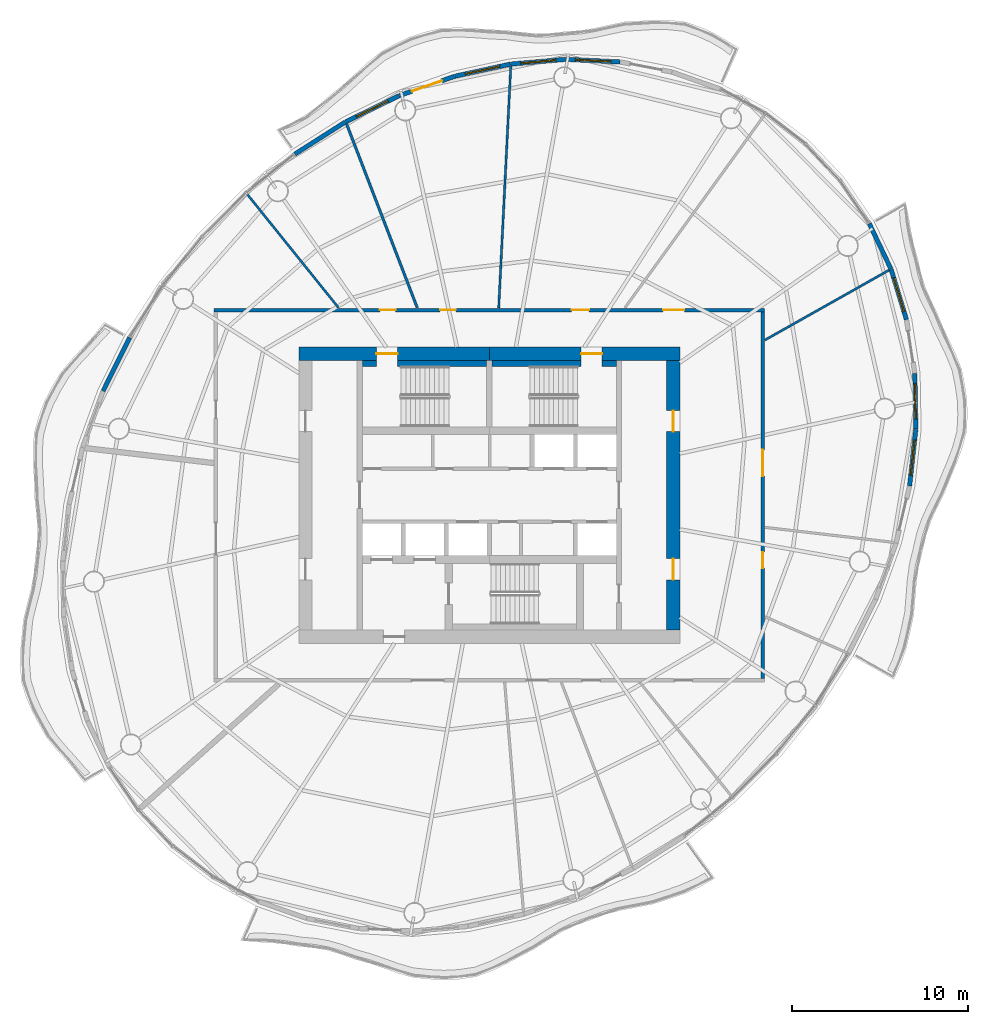
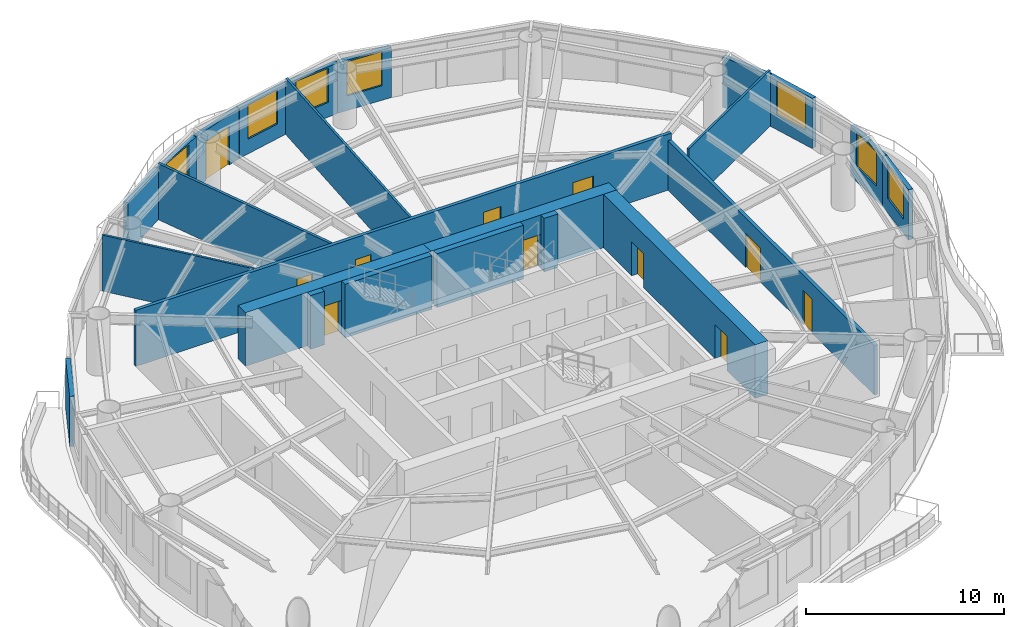
# One storey, part 10 of 14: 24 walls, 11 doors, 7 windows, 18 openings.
"""IFC4 building model written with IfcOpenShell, lengths in metres."""

import ifcopenshell
import ifcopenshell.guid

model = None  # the IFC model being written
_history = None  # IfcOwnerHistory: only IFC2X3 demands one
_inside = {}  # id of a spatial element -> (the spatial element, [elements in it])
_under = {}  # id of a project, library or spatial element -> (it, [spatial elements below it])
_declared = {}  # id of a project -> (the project, [libraries it declares])
_typed = {}  # id of a type object -> (the type object, [elements of that type])
_made_of = {}  # id of a material, layer set ... -> (it, [elements and type objects made of it])


def new_model(schema):
    """Start an empty IFC model of exactly this schema.

    Asked for "IFC4X3", IfcOpenShell would pick the latest addendum, in which some entities
    have other attributes; the version numbers below select the first issue.
    IFC2X3 requires an IfcOwnerHistory on every rooted entity: one is made here for all.
    """
    global model, _history
    if schema == "IFC4X3":
        model = ifcopenshell.file(schema_version=(4, 3, 0, 0))
    else:
        model = ifcopenshell.file(schema=schema)
    _inside.clear()
    _under.clear()
    _declared.clear()
    _typed.clear()
    _made_of.clear()
    _history = None
    if model.schema == "IFC2X3":
        org = make("IfcOrganization", Name="unknown")
        user = make(
            "IfcPersonAndOrganization",
            ThePerson=make("IfcPerson", FamilyName="unknown"),
            TheOrganization=org,
        )
        app = make(
            "IfcApplication",
            ApplicationDeveloper=org,
            Version="unknown",
            ApplicationFullName="unknown",
            ApplicationIdentifier="unknown",
        )
        _history = make(
            "IfcOwnerHistory",
            OwningUser=user,
            OwningApplication=app,
            ChangeAction="ADDED",
            CreationDate=0,
        )
    return model


def make(cls, **values):
    """One entity of the class cls with the attributes given. An attribute that is None is left unset."""
    return model.create_entity(
        cls, **{name: value for name, value in values.items() if value is not None}
    )


def rooted(cls, **values):
    """An entity with a GlobalId (a new one), such as an element, a storey or a relation."""
    return make(cls, GlobalId=ifcopenshell.guid.new(), OwnerHistory=_history, **values)


def si_unit(unit_type, name, prefix=None):
    """IfcSIUnit, for example si_unit("LENGTHUNIT", "METRE", prefix="MILLI")."""
    return make("IfcSIUnit", UnitType=unit_type, Prefix=prefix, Name=name)


def assignment(units):
    """IfcUnitAssignment: the units of a project."""
    return None if units is None else make("IfcUnitAssignment", Units=units)


def point(xyz):
    """IfcCartesianPoint."""
    return None if xyz is None else make("IfcCartesianPoint", Coordinates=xyz)


def direction(xyz):
    """IfcDirection."""
    return None if xyz is None else make("IfcDirection", DirectionRatios=xyz)


def frame(location, z_axis=None, x_axis=None):
    """IfcAxis2Placement3D, a coordinate frame: its origin and axes. An axis left out is left unset."""
    return make(
        "IfcAxis2Placement3D",
        Location=point(location),
        Axis=direction(z_axis),
        RefDirection=direction(x_axis),
    )


def frame_2d(location, x_axis=None):
    """IfcAxis2Placement2D, a coordinate frame in the plane: its origin and x axis."""
    return make(
        "IfcAxis2Placement2D", Location=point(location), RefDirection=direction(x_axis)
    )


def origin():
    """The frame at (0, 0, 0) with its axes left unset."""
    return frame((0.0, 0.0, 0.0))


def place(relative_to, where):
    """IfcLocalPlacement: puts the frame where relative to a parent placement (None: the world)."""
    return make(
        "IfcLocalPlacement", PlacementRelTo=relative_to, RelativePlacement=where
    )


def context(
    kind, dimensions, precision=None, world=None, true_north=None, identifier=None
):
    """IfcGeometricRepresentationContext, for example the 3D "Model" context."""
    return make(
        "IfcGeometricRepresentationContext",
        ContextIdentifier=identifier,
        ContextType=kind,
        CoordinateSpaceDimension=dimensions,
        Precision=precision,
        WorldCoordinateSystem=world,
        TrueNorth=true_north,
    )


def subcontext(parent, identifier, kind, view, scale=None):
    """IfcGeometricRepresentationSubContext, for example "Body" below "Model"."""
    return make(
        "IfcGeometricRepresentationSubContext",
        ContextIdentifier=identifier,
        ContextType=kind,
        ParentContext=parent,
        TargetScale=scale,
        TargetView=view,
    )


def project(units=None, contexts=None):
    """IfcProject with its units and contexts."""
    return rooted(
        "IfcProject",
        Name="project",
        RepresentationContexts=contexts,
        UnitsInContext=assignment(units),
    )


def spatial(cls, under=None, at=None, **own):
    """A site, building, storey or space (cls), placed at a placement, below another one or the project."""
    s = rooted(cls, ObjectPlacement=at, **own)
    if under is not None:
        _under.setdefault(under.id(), (under, []))[1].append(s)
    return s


def profile(cls, at=None, kind="AREA", **sizes):
    """A parametric profile (cls). Its sizes go by their IFC names, for example OverallWidth=200.0."""
    return make(cls, ProfileType=kind, Position=at, **sizes)


def rectangle(**sizes):
    """IfcRectangleProfileDef."""
    return profile("IfcRectangleProfileDef", **sizes)


def extrude(swept, where, along, depth):
    """IfcExtrudedAreaSolid: the profile swept, set in the frame where, extruded along a direction by depth."""
    return make(
        "IfcExtrudedAreaSolid",
        SweptArea=swept,
        Position=where,
        ExtrudedDirection=direction(along),
        Depth=depth,
    )


def shape(context_of_items, identifier, shape_type, items):
    """IfcShapeRepresentation: the items that make up one representation, for example the "Body"."""
    return make(
        "IfcShapeRepresentation",
        ContextOfItems=context_of_items,
        RepresentationIdentifier=identifier,
        RepresentationType=shape_type,
        Items=items,
    )


def material(Name=None, Category=None):
    """IfcMaterial."""
    return make("IfcMaterial", Name=Name, Category=Category)


def layer(
    of_material, thickness, ventilated=None, Name=None, Category=None, Priority=None
):
    """IfcMaterialLayer: one layer of a wall or slab, of a material (None: an air gap)."""
    return make(
        "IfcMaterialLayer",
        Material=of_material,
        LayerThickness=thickness,
        IsVentilated=ventilated,
        Name=Name,
        Category=Category,
        Priority=Priority,
    )


def layer_set(layers, Name=None):
    """IfcMaterialLayerSet."""
    return make("IfcMaterialLayerSet", MaterialLayers=layers, LayerSetName=Name)


def made_of(thing, what):
    """Note that an element or type object is made of a material, layer set ...; save() writes the relation."""
    if what is not None:
        _made_of.setdefault(what.id(), (what, []))[1].append(thing)
    return thing


def type_object(cls, material=None, **own):
    """A type object (cls), such as IfcWallType, which elements share."""
    return made_of(rooted(cls, **own), material)


def element(
    cls,
    number,
    at=None,
    inside=None,
    cuts=None,
    type_object=None,
    material=None,
    context=None,
    identifier="Body",
    shape_type=None,
    held_by="IfcProductDefinitionShape",
    body=None,
    shapes=None,
    **own,
):
    """One element of the class cls, such as IfcWall. Its Tag is "e" and its number.

    at: its placement. inside: the storey or other place that contains it. cuts: it is an
    opening in that element (IfcRelVoidsElement). A single representation is given by context,
    identifier, shape_type and body (its items); several are given by shapes. held_by: the class
    of the entity that holds the representations. save() writes the other relations.
    """
    e = rooted(cls, Tag="e%d" % number, ObjectPlacement=at, **own)
    if body is not None:
        shapes = [shape(context, identifier, shape_type, body)]
    if shapes is not None:
        e.Representation = make(held_by, Representations=shapes)
    if inside is not None:
        _inside.setdefault(inside.id(), (inside, []))[1].append(e)
    if cuts is not None:
        rooted(
            "IfcRelVoidsElement", RelatingBuildingElement=cuts, RelatedOpeningElement=e
        )
    if type_object is not None:
        _typed.setdefault(type_object.id(), (type_object, []))[1].append(e)
    return made_of(e, material)


def fill(opening, filler):
    """IfcRelFillsElement: the door or window that sits in an opening."""
    return rooted(
        "IfcRelFillsElement",
        RelatingOpeningElement=opening,
        RelatedBuildingElement=filler,
    )


def aggregate(whole, parts):
    """IfcRelAggregates: a whole, such as a stair, and the parts it consists of."""
    return rooted("IfcRelAggregates", RelatingObject=whole, RelatedObjects=parts)


def save(model, path):
    """Write the relations noted so far, then the file.

    IfcRelAggregates (storeys below a building ...), IfcRelContainedInSpatialStructure (elements
    in a storey), IfcRelDefinesByType, IfcRelAssociatesMaterial and IfcRelDeclares: one each for
    every whole, place, type object, material and project.
    """
    for whole, parts in _under.values():
        aggregate(whole, parts)
    for where, things in _inside.values():
        rooted(
            "IfcRelContainedInSpatialStructure",
            RelatedElements=things,
            RelatingStructure=where,
        )
    for kind, things in _typed.values():
        rooted("IfcRelDefinesByType", RelatedObjects=things, RelatingType=kind)
    for what, things in _made_of.values():
        rooted("IfcRelAssociatesMaterial", RelatedObjects=things, RelatingMaterial=what)
    for by, libraries in _declared.values():
        rooted("IfcRelDeclares", RelatingContext=by, RelatedDefinitions=libraries)
    model.write(path)


model = new_model("IFC4")

# Units and contexts
model_context = context("Model", 3, precision=1e-05, world=origin(), true_north=direction((0.0, 1.0)))
body_context = subcontext(model_context, "Body", "Model", "MODEL_VIEW")
ifc_project = project(units=[si_unit("LENGTHUNIT", "METRE"), si_unit("AREAUNIT", "SQUARE_METRE"), si_unit("VOLUMEUNIT", "CUBIC_METRE"), si_unit("PLANEANGLEUNIT", "RADIAN"), si_unit("MASSUNIT", "GRAM", prefix="KILO")], contexts=[model_context])

# Site, building, storey
site_placement = place(None, origin())
site = spatial("IfcSite", under=ifc_project, at=site_placement, CompositionType="ELEMENT")
building_placement = place(site_placement, origin())
building = spatial("IfcBuilding", under=site, at=building_placement, Name="Vermilion Reach Broadcast Tower", CompositionType="ELEMENT")
storey_placement = place(building_placement, frame((0.0, 0.0, 224.5)))
storey = spatial("IfcBuildingStorey", under=building, at=storey_placement, Name="L55", CompositionType="ELEMENT", Elevation=224.5)

# Wall, opening, door
ifc_material_1 = material(Name="Concrete C60", Category="concrete")
ifc_layer_1 = layer(ifc_material_1, 0.75)
ifc_layer_set_1 = layer_set([ifc_layer_1], Name="Core outer wall 750 mm Concrete C60")
wall_type_1 = type_object("IfcWallType", Name="Core outer wall 750 mm Concrete C60", PredefinedType="SHEAR", material=ifc_layer_set_1)
wall_1_placement = place(storey_placement, frame((4.800048828125, 8.02490234375, 0.0), z_axis=(0.0, 0.0, 1.0), x_axis=(-1.0, 0.0, 0.0)))
wall_1 = element("IfcWall", 1, at=wall_1_placement, inside=storey, type_object=wall_type_1, Name="L55 core wall onE", PredefinedType="SHEAR", context=body_context, shape_type="SweptSolid", body=[
    extrude(rectangle(XDim=10.800048828125, YDim=0.75, at=frame_2d((5.39990234375, 0.0))), origin(), (0.0, 0.0, 1.0), 3.300048828125),
])
opening_1_placement = place(wall_1_placement, frame((4.39990234375, 0.0, 0.0)))
opening_1 = element("IfcOpeningElement", 2, at=opening_1_placement, cuts=wall_1, Name="Opening D01", PredefinedType="OPENING", context=body_context, shape_type="SweptSolid", body=[
    extrude(rectangle(XDim=1.199951171875, YDim=2.10009765625, at=frame_2d((0.60009765625, 1.050048828125))), frame((0.0, 0.385009765625, 0.0), z_axis=(0.0, -1.0, 0.0), x_axis=(1.0, 0.0, 0.0)), (0.0, 0.0, 1.0), 0.77001953125),
])
ifc_material_2 = material(Name="Painted steel fire door", Category="steel")
door_type_1 = type_object("IfcDoorType", Name="Stair door 1200 x 2100", OperationType="DOUBLE_DOOR_SINGLE_SWING", PredefinedType="NOTDEFINED", material=ifc_material_2)
door_1_placement = place(opening_1_placement, origin())
door_1 = element("IfcDoor", 3, at=door_1_placement, inside=storey, type_object=door_type_1, Name="L55 stair door ST2", OperationType="DOUBLE_DOOR_SINGLE_SWING", OverallHeight=2.10009765625, OverallWidth=1.199951171875, PredefinedType="NOTDEFINED", context=body_context, shape_type="SweptSolid", body=[
    extrude(rectangle(XDim=1.199951171875, YDim=2.10009765625, at=frame_2d((0.60009765625, 1.050048828125))), frame((0.0, 0.02490234375, 0.0), z_axis=(0.0, -1.0, 0.0), x_axis=(1.0, 0.0, 0.0)), (0.0, 0.0, 1.0), 0.050048828125),
])
fill(opening_1, door_1)

wall_2_placement = place(storey_placement, frame((-6.0, 8.02490234375, 0.0), z_axis=(0.0, 0.0, 1.0), x_axis=(-1.0, 0.0, 0.0)))
wall_2 = element("IfcWall", 4, at=wall_2_placement, inside=storey, type_object=wall_type_1, Name="L55 core wall onW", PredefinedType="SHEAR", context=body_context, shape_type="SweptSolid", body=[
    extrude(rectangle(XDim=10.800048828125, YDim=0.75, at=frame_2d((5.39990234375, 0.0))), origin(), (0.0, 0.0, 1.0), 3.300048828125),
])
opening_2_placement = place(wall_2_placement, frame((5.199951171875, 0.0, 0.0)))
opening_2 = element("IfcOpeningElement", 5, at=opening_2_placement, cuts=wall_2, Name="Opening D01", PredefinedType="OPENING", context=body_context, shape_type="SweptSolid", body=[
    extrude(rectangle(XDim=1.199951171875, YDim=2.10009765625, at=frame_2d((0.60009765625, 1.050048828125))), frame((0.0, 0.385009765625, 0.0), z_axis=(0.0, -1.0, 0.0), x_axis=(1.0, 0.0, 0.0)), (0.0, 0.0, 1.0), 0.77001953125),
])
door_2_placement = place(opening_2_placement, origin())
door_2 = element("IfcDoor", 6, at=door_2_placement, inside=storey, type_object=door_type_1, Name="L55 stair door ST1", OperationType="DOUBLE_DOOR_SINGLE_SWING", OverallHeight=2.10009765625, OverallWidth=1.199951171875, PredefinedType="NOTDEFINED", context=body_context, shape_type="SweptSolid", body=[
    extrude(rectangle(XDim=1.199951171875, YDim=2.10009765625, at=frame_2d((0.60009765625, 1.050048828125))), frame((0.0, 0.02490234375, 0.0), z_axis=(0.0, -1.0, 0.0), x_axis=(1.0, 0.0, 0.0)), (0.0, 0.0, 1.0), 0.050048828125),
])
fill(opening_2, door_2)

# Wall, openings, doors
wall_3_placement = place(storey_placement, frame((4.425048828125, -7.64990234375, 0.0), z_axis=(0.0, 0.0, 1.0), x_axis=(0.0, 1.0, 0.0)))
wall_3 = element("IfcWall", 7, at=wall_3_placement, inside=storey, type_object=wall_type_1, Name="L55 core wall oe", PredefinedType="SHEAR", context=body_context, shape_type="SweptSolid", body=[
    extrude(rectangle(XDim=15.2998046875, YDim=0.75, at=frame_2d((7.64990234375, 0.0))), origin(), (0.0, 0.0, 1.0), 3.300048828125),
])
opening_3_placement = place(wall_3_placement, frame((2.85009765625, 0.0, 0.0)))
opening_3 = element("IfcOpeningElement", 8, at=opening_3_placement, cuts=wall_3, Name="Opening D03", PredefinedType="OPENING", context=body_context, shape_type="SweptSolid", body=[
    extrude(rectangle(XDim=1.199951171875, YDim=2.10009765625, at=frame_2d((0.60009765625, 1.050048828125))), frame((0.0, 0.385009765625, 0.0), z_axis=(0.0, -1.0, 0.0), x_axis=(1.0, 0.0, 0.0)), (0.0, 0.0, 1.0), 0.77001953125),
])
opening_4_placement = place(wall_3_placement, frame((11.25, 0.0, 0.0)))
opening_4 = element("IfcOpeningElement", 9, at=opening_4_placement, cuts=wall_3, Name="Opening D03", PredefinedType="OPENING", context=body_context, shape_type="SweptSolid", body=[
    extrude(rectangle(XDim=1.199951171875, YDim=2.10009765625, at=frame_2d((0.60009765625, 1.050048828125))), frame((0.0, 0.385009765625, 0.0), z_axis=(0.0, -1.0, 0.0), x_axis=(1.0, 0.0, 0.0)), (0.0, 0.0, 1.0), 0.77001953125),
])
ifc_material_3 = material(Name="Painted steel fire door", Category="steel")
door_type_2 = type_object("IfcDoorType", Name="Core lobby door 1200 x 2100", OperationType="DOUBLE_DOOR_SINGLE_SWING", PredefinedType="NOTDEFINED", material=ifc_material_3)
door_3_placement = place(opening_3_placement, origin())
door_3 = element("IfcDoor", 10, at=door_3_placement, inside=storey, type_object=door_type_2, Name="L55 slot door E0", OperationType="DOUBLE_DOOR_SINGLE_SWING", OverallHeight=2.10009765625, OverallWidth=1.199951171875, PredefinedType="NOTDEFINED", context=body_context, shape_type="SweptSolid", body=[
    extrude(rectangle(XDim=1.199951171875, YDim=2.10009765625, at=frame_2d((0.60009765625, 1.050048828125))), frame((0.0, 0.02490234375, 0.0), z_axis=(0.0, -1.0, 0.0), x_axis=(1.0, 0.0, 0.0)), (0.0, 0.0, 1.0), 0.050048828125),
])
fill(opening_3, door_3)
door_4_placement = place(opening_4_placement, origin())
door_4 = element("IfcDoor", 11, at=door_4_placement, inside=storey, type_object=door_type_2, Name="L55 slot door E1", OperationType="DOUBLE_DOOR_SINGLE_SWING", OverallHeight=2.10009765625, OverallWidth=1.199951171875, PredefinedType="NOTDEFINED", context=body_context, shape_type="SweptSolid", body=[
    extrude(rectangle(XDim=1.199951171875, YDim=2.10009765625, at=frame_2d((0.60009765625, 1.050048828125))), frame((0.0, 0.02490234375, 0.0), z_axis=(0.0, -1.0, 0.0), x_axis=(1.0, 0.0, 0.0)), (0.0, 0.0, 1.0), 0.050048828125),
])
fill(opening_4, door_4)

# Walls
ifc_material_4 = material(Name="Concrete C60", Category="concrete")
ifc_layer_2 = layer(ifc_material_4, 0.35009765625)
ifc_layer_set_2 = layer_set([ifc_layer_2], Name="Core stair wall 350 mm Concrete C60")
wall_type_2 = type_object("IfcWallType", Name="Core stair wall 350 mm Concrete C60", PredefinedType="SHEAR", material=ifc_layer_set_2)
wall_4_placement = place(storey_placement, frame((-13.199951171875, 7.47509765625, 0.0), z_axis=(0.0, 0.0, 1.0), x_axis=(1.0, 0.0, 0.0)))
element("IfcWall", 12, at=wall_4_placement, inside=storey, type_object=wall_type_2, Name="L55 core wall l1a", PredefinedType="SHEAR", context=body_context, shape_type="SweptSolid", body=[
    extrude(rectangle(XDim=0.800048828125, YDim=0.35009765625, at=frame_2d((0.39990234375, 0.0))), origin(), (0.0, 0.0, 1.0), 3.300048828125),
])
for number, where, z_axis, x_axis, name in (
    (13, (-11.199951171875, 7.47509765625, 0.0), (0.0, 0.0, 1.0), (1.0, 0.0, 0.0), "L55 core wall l1b"),
    (14, (-5.85009765625, 7.47509765625, 0.0), (0.0, 0.0, 1.0), (1.0, 0.0, 0.0), "L55 core wall l2a"),
):
    element("IfcWall", number, at=place(storey_placement, frame(where, z_axis=z_axis, x_axis=x_axis)), inside=storey, type_object=wall_type_2, Name=name, PredefinedType="SHEAR", context=body_context, shape_type="SweptSolid", body=[
        extrude(rectangle(XDim=5.050048828125, YDim=0.35009765625, at=frame_2d((2.52490234375, 0.0))), origin(), (0.0, 0.0, 1.0), 3.300048828125),
    ])
wall_5_placement = place(storey_placement, frame((0.39990234375, 7.47509765625, 0.0), z_axis=(0.0, 0.0, 1.0), x_axis=(1.0, 0.0, 0.0)))
element("IfcWall", 15, at=wall_5_placement, inside=storey, type_object=wall_type_2, Name="L55 core wall l2b", PredefinedType="SHEAR", context=body_context, shape_type="SweptSolid", body=[
    extrude(rectangle(XDim=0.800048828125, YDim=0.35009765625, at=frame_2d((0.39990234375, 0.0))), origin(), (0.0, 0.0, 1.0), 3.300048828125),
])

# Wall, openings, doors
ifc_material_5 = material(Name="Fire-rated gypsum board partition")
ifc_layer_3 = layer(ifc_material_5, 0.199951171875)
ifc_layer_set_3 = layer_set([ifc_layer_3], Name="Corridor wall 200 fire-rated")
wall_type_3 = type_object("IfcWallType", Name="Corridor wall 200 fire-rated", PredefinedType="PARTITIONING", material=ifc_layer_set_3)
wall_6_placement = place(storey_placement, frame((-21.60009765625, 10.5, 0.0), z_axis=(0.0, 0.0, 1.0), x_axis=(1.0, 0.0, 0.0)))
wall_6 = element("IfcWall", 16, at=wall_6_placement, inside=storey, type_object=wall_type_3, Name="Corridor wall 55.N", PredefinedType="PARTITIONING", context=body_context, shape_type="SweptSolid", body=[
    extrude(rectangle(XDim=31.2001953125, YDim=0.199951171875, at=frame_2d((15.60009765625, 0.0))), origin(), (0.0, 0.0, 1.0), 3.449951171875),
])
opening_5_placement = place(wall_6_placement, frame((20.263427734375, 0.0, 0.0)))
opening_5 = element("IfcOpeningElement", 17, at=opening_5_placement, cuts=wall_6, Name="Opening D23", PredefinedType="OPENING", context=body_context, shape_type="SweptSolid", body=[
    extrude(rectangle(XDim=1.0, YDim=2.39990234375, at=frame_2d((0.5, 1.199951171875))), frame((0.0, 0.10986328125, 0.0), z_axis=(0.0, -1.0, 0.0), x_axis=(1.0, 0.0, 0.0)), (0.0, 0.0, 1.0), 0.219970703125),
])
opening_6_placement = place(wall_6_placement, frame((12.805908203125, 0.0, 0.0)))
opening_6 = element("IfcOpeningElement", 18, at=opening_6_placement, cuts=wall_6, Name="Opening D22", PredefinedType="OPENING", context=body_context, shape_type="SweptSolid", body=[
    extrude(rectangle(XDim=0.89990234375, YDim=2.10009765625, at=frame_2d((0.449951171875, 1.050048828125))), frame((0.0, 0.10986328125, 0.0), z_axis=(0.0, -1.0, 0.0), x_axis=(1.0, 0.0, 0.0)), (0.0, 0.0, 1.0), 0.219970703125),
])
opening_7_placement = place(wall_6_placement, frame((9.388671875, 0.0, 0.0)))
opening_7 = element("IfcOpeningElement", 19, at=opening_7_placement, cuts=wall_6, Name="Opening D22", PredefinedType="OPENING", context=body_context, shape_type="SweptSolid", body=[
    extrude(rectangle(XDim=0.89990234375, YDim=2.10009765625, at=frame_2d((0.449951171875, 1.050048828125))), frame((0.0, 0.10986328125, 0.0), z_axis=(0.0, -1.0, 0.0), x_axis=(1.0, 0.0, 0.0)), (0.0, 0.0, 1.0), 0.219970703125),
])
opening_8_placement = place(wall_6_placement, frame((25.454345703125, 0.0, 0.0)))
opening_8 = element("IfcOpeningElement", 20, at=opening_8_placement, cuts=wall_6, Name="Opening D29", PredefinedType="OPENING", context=body_context, shape_type="SweptSolid", body=[
    extrude(rectangle(XDim=1.199951171875, YDim=2.39990234375, at=frame_2d((0.60009765625, 1.199951171875))), frame((0.0, 0.10986328125, 0.0), z_axis=(0.0, -1.0, 0.0), x_axis=(1.0, 0.0, 0.0)), (0.0, 0.0, 1.0), 0.219970703125),
])
ifc_material_6 = material(Name="Veneered timber door leaf", Category="wood")
door_type_3 = type_object("IfcDoorType", Name="Door single 1000x2400", OperationType="NOTDEFINED", PredefinedType="DOOR", material=ifc_material_6)
door_5_placement = place(opening_5_placement, origin())
door_5 = element("IfcDoor", 21, at=door_5_placement, inside=storey, type_object=door_type_3, Name="Door 55.01", OperationType="SINGLE_SWING_RIGHT", OverallHeight=2.39990234375, OverallWidth=1.0, PredefinedType="DOOR", context=body_context, shape_type="SweptSolid", body=[
    extrude(rectangle(XDim=1.0, YDim=2.39990234375, at=frame_2d((0.5, 1.199951171875))), frame((0.0, 0.02490234375, 0.0), z_axis=(0.0, -1.0, 0.0), x_axis=(1.0, 0.0, 0.0)), (0.0, 0.0, 1.0), 0.050048828125),
])
fill(opening_5, door_5)
ifc_material_7 = material(Name="Veneered timber door leaf", Category="wood")
door_type_4 = type_object("IfcDoorType", Name="Door single 1200x2400", OperationType="NOTDEFINED", PredefinedType="DOOR", material=ifc_material_7)
door_6_placement = place(opening_8_placement, origin())
door_6 = element("IfcDoor", 22, at=door_6_placement, inside=storey, type_object=door_type_4, Name="Door 55.12", OperationType="SINGLE_SWING_LEFT", OverallHeight=2.39990234375, OverallWidth=1.199951171875, PredefinedType="DOOR", context=body_context, shape_type="SweptSolid", body=[
    extrude(rectangle(XDim=1.199951171875, YDim=2.39990234375, at=frame_2d((0.60009765625, 1.199951171875))), frame((0.0, 0.02490234375, 0.0), z_axis=(0.0, -1.0, 0.0), x_axis=(1.0, 0.0, 0.0)), (0.0, 0.0, 1.0), 0.050048828125),
])
fill(opening_8, door_6)
ifc_material_8 = material(Name="Timber door leaf", Category="wood")
door_type_5 = type_object("IfcDoorType", Name="Door single 900x2100", OperationType="NOTDEFINED", PredefinedType="DOOR", material=ifc_material_8)
door_7_placement = place(opening_6_placement, origin())
door_7 = element("IfcDoor", 23, at=door_7_placement, inside=storey, type_object=door_type_5, Name="Door 55.02", OperationType="SINGLE_SWING_LEFT", OverallHeight=2.10009765625, OverallWidth=0.89990234375, PredefinedType="DOOR", context=body_context, shape_type="SweptSolid", body=[
    extrude(rectangle(XDim=0.89990234375, YDim=2.10009765625, at=frame_2d((0.449951171875, 1.050048828125))), frame((0.0, 0.02490234375, 0.0), z_axis=(0.0, -1.0, 0.0), x_axis=(1.0, 0.0, 0.0)), (0.0, 0.0, 1.0), 0.050048828125),
])
fill(opening_6, door_7)
door_8_placement = place(opening_7_placement, origin())
door_8 = element("IfcDoor", 24, at=door_8_placement, inside=storey, type_object=door_type_5, Name="Door 55.03", OperationType="SINGLE_SWING_RIGHT", OverallHeight=2.10009765625, OverallWidth=0.89990234375, PredefinedType="DOOR", context=body_context, shape_type="SweptSolid", body=[
    extrude(rectangle(XDim=0.89990234375, YDim=2.10009765625, at=frame_2d((0.449951171875, 1.050048828125))), frame((0.0, 0.02490234375, 0.0), z_axis=(0.0, -1.0, 0.0), x_axis=(1.0, 0.0, 0.0)), (0.0, 0.0, 1.0), 0.050048828125),
])
fill(opening_7, door_8)

# Walls
ifc_material_9 = material(Name="Fire-rated plasterboard on steel stud", Category="steel")
ifc_layer_4 = layer(ifc_material_9, 0.125)
ifc_layer_set_4 = layer_set([ifc_layer_4], Name="Partition 125 fire-rated stud")
wall_type_4 = type_object("IfcWallType", Name="Partition 125 fire-rated stud", PredefinedType="PARTITIONING", material=ifc_layer_set_4)
wall_7_placement = place(storey_placement, frame((-4.783447265625, 24.318603515625, 0.0), z_axis=(0.0, 0.0, 1.0), x_axis=(-0.049956237306, -0.998751407686, 0.0)))
element("IfcWall", 25, at=wall_7_placement, inside=storey, type_object=wall_type_4, Name="Partition 55.02", PredefinedType="PARTITIONING", context=body_context, shape_type="SweptSolid", body=[
    extrude(rectangle(XDim=13.732666015625, YDim=0.125, at=frame_2d((6.8662109375, 0.0))), origin(), (0.0, 0.0, 1.0), 3.449951171875),
])
wall_8_placement = place(storey_placement, frame((-19.706298828125, 17.0380859375, 0.0), z_axis=(0.0, 0.0, 1.0), x_axis=(0.626795529624, -0.77918378066, 0.0)))
element("IfcWall", 26, at=wall_8_placement, inside=storey, type_object=wall_type_4, Name="Partition 55.04", PredefinedType="PARTITIONING", context=body_context, shape_type="SweptSolid", body=[
    extrude(rectangle(XDim=8.21240234375, YDim=0.125, at=frame_2d((4.106201171875, 0.0))), origin(), (0.0, 0.0, 1.0), 3.449951171875),
])
wall_9_placement = place(storey_placement, frame((16.6640625, 12.761474609375, 0.0), z_axis=(0.0, 0.0, 1.0), x_axis=(-0.871369479299, -0.490627384627, 0.0)))
element("IfcWall", 27, at=wall_9_placement, inside=storey, type_object=wall_type_4, Name="Partition 55.12", PredefinedType="PARTITIONING", context=body_context, shape_type="SweptSolid", body=[
    extrude(rectangle(XDim=8.07177734375, YDim=0.125, at=frame_2d((4.035888671875, 0.0))), origin(), (0.0, 0.0, 1.0), 3.449951171875),
])
ifc_material_10 = material(Name="Lightweight concrete block, plastered", Category="concrete")
ifc_layer_5 = layer(ifc_material_10, 0.14990234375)
ifc_layer_set_5 = layer_set([ifc_layer_5], Name="Partition 150 lightweight block")
wall_type_5 = type_object("IfcWallType", Name="Partition 150 lightweight block", PredefinedType="PARTITIONING", material=ifc_layer_set_5)
wall_10_placement = place(storey_placement, frame((-14.0966796875, 21.056640625, 0.0), z_axis=(0.0, 0.0, 1.0), x_axis=(0.358907338181, -0.93337319578, 0.0)))
element("IfcWall", 28, at=wall_10_placement, inside=storey, type_object=wall_type_5, Name="Partition 55.03", PredefinedType="PARTITIONING", context=body_context, shape_type="SweptSolid", body=[
    extrude(rectangle(XDim=11.174072265625, YDim=0.14990234375, at=frame_2d((5.5869140625, 0.0))), origin(), (0.0, 0.0, 1.0), 3.449951171875),
])

# Wall, opening, window
ifc_material_11 = material(Name="Terracotta rainscreen cladding", Category="masonry")
ifc_layer_6 = layer(ifc_material_11, 0.25)
ifc_layer_set_6 = layer_set([ifc_layer_6], Name="Terracotta rainscreen wall 250")
wall_type_6 = type_object("IfcWallType", Name="Terracotta rainscreen wall 250", PredefinedType="SOLIDWALL", material=ifc_layer_set_6)
wall_11_placement = place(storey_placement, frame((1.4013671875, 24.564697265625, 0.0), z_axis=(0.0, 0.0, 1.0), x_axis=(-0.99880196675, 0.048934969263, 0.0)))
wall_11 = element("IfcWall", 29, at=wall_11_placement, inside=storey, type_object=wall_type_6, Name="External wall L55 04", PredefinedType="SOLIDWALL", context=body_context, shape_type="SweptSolid", body=[
    extrude(rectangle(XDim=3.04833984375, YDim=0.25, at=frame_2d((1.524169921875, 0.0))), origin(), (0.0, 0.0, 1.0), 3.10009765625),
])
opening_9_placement = place(wall_11_placement, frame((0.524169921875, 0.0, 0.89990234375)))
opening_9 = element("IfcOpeningElement", 30, at=opening_9_placement, cuts=wall_11, Name="Opening W03", PredefinedType="OPENING", context=body_context, shape_type="SweptSolid", body=[
    extrude(rectangle(XDim=2.0, YDim=2.10009765625, at=frame_2d((1.0, 1.050048828125))), frame((0.0, 0.135009765625, 0.0), z_axis=(0.0, -1.0, 0.0), x_axis=(1.0, 0.0, 0.0)), (0.0, 0.0, 1.0), 0.27001953125),
])
ifc_material_12 = material(Name="Low-e laminated clear glass in aluminium frame", Category="aluminium")
window_type = type_object("IfcWindowType", Name="Punched window 2000 x 2100 sill 900", PartitioningType="SINGLE_PANEL", PredefinedType="WINDOW", material=ifc_material_12)
window_1_placement = place(opening_9_placement, origin())
window_1 = element("IfcWindow", 31, at=window_1_placement, inside=storey, type_object=window_type, Name="Window L55 04", OverallHeight=2.10009765625, OverallWidth=2.0, PartitioningType="SINGLE_PANEL", PredefinedType="WINDOW", context=body_context, shape_type="SweptSolid", body=[
    extrude(rectangle(XDim=2.0, YDim=2.10009765625, at=frame_2d((1.0, 1.050048828125))), frame((0.0, 0.030029296875, 0.0), z_axis=(0.0, -1.0, 0.0), x_axis=(1.0, 0.0, 0.0)), (0.0, 0.0, 1.0), 0.06005859375),
])
fill(opening_9, window_1)

wall_12_placement = place(storey_placement, frame((-1.668212890625, 24.71337890625, 0.0), z_axis=(0.0, 0.0, 1.0), x_axis=(-0.996280822504, -0.086165670135, 0.0)))
wall_12 = element("IfcWall", 32, at=wall_12_placement, inside=storey, type_object=wall_type_6, Name="External wall L55 05", PredefinedType="SOLIDWALL", context=body_context, shape_type="SweptSolid", body=[
    extrude(rectangle(XDim=3.1337890625, YDim=0.25, at=frame_2d((1.56689453125, 0.0))), origin(), (0.0, 0.0, 1.0), 3.10009765625),
])
opening_10_placement = place(wall_12_placement, frame((0.56689453125, 0.0, 0.89990234375)))
opening_10 = element("IfcOpeningElement", 33, at=opening_10_placement, cuts=wall_12, Name="Opening W03", PredefinedType="OPENING", context=body_context, shape_type="SweptSolid", body=[
    extrude(rectangle(XDim=2.0, YDim=2.10009765625, at=frame_2d((1.0, 1.050048828125))), frame((0.0, 0.135009765625, 0.0), z_axis=(0.0, -1.0, 0.0), x_axis=(1.0, 0.0, 0.0)), (0.0, 0.0, 1.0), 0.27001953125),
])
window_2_placement = place(opening_10_placement, origin())
window_2 = element("IfcWindow", 34, at=window_2_placement, inside=storey, type_object=window_type, Name="Window L55 05", OverallHeight=2.10009765625, OverallWidth=2.0, PartitioningType="SINGLE_PANEL", PredefinedType="WINDOW", context=body_context, shape_type="SweptSolid", body=[
    extrude(rectangle(XDim=2.0, YDim=2.10009765625, at=frame_2d((1.0, 1.050048828125))), frame((0.0, 0.030029296875, 0.0), z_axis=(0.0, -1.0, 0.0), x_axis=(1.0, 0.0, 0.0)), (0.0, 0.0, 1.0), 0.06005859375),
])
fill(opening_10, window_2)

wall_13_placement = place(storey_placement, frame((-4.81396484375, 24.439697265625, 0.0), z_axis=(0.0, 0.0, 1.0), x_axis=(-0.977051639929, -0.213002565507, 0.0)))
wall_13 = element("IfcWall", 35, at=wall_13_placement, inside=storey, type_object=wall_type_6, Name="External wall L55 06", PredefinedType="SOLIDWALL", context=body_context, shape_type="SweptSolid", body=[
    extrude(rectangle(XDim=3.2197265625, YDim=0.25, at=frame_2d((1.60986328125, 0.0))), origin(), (0.0, 0.0, 1.0), 3.10009765625),
])
opening_11_placement = place(wall_13_placement, frame((0.60986328125, 0.0, 0.89990234375)))
opening_11 = element("IfcOpeningElement", 36, at=opening_11_placement, cuts=wall_13, Name="Opening W03", PredefinedType="OPENING", context=body_context, shape_type="SweptSolid", body=[
    extrude(rectangle(XDim=2.0, YDim=2.10009765625, at=frame_2d((1.0, 1.050048828125))), frame((0.0, 0.135009765625, 0.0), z_axis=(0.0, -1.0, 0.0), x_axis=(1.0, 0.0, 0.0)), (0.0, 0.0, 1.0), 0.27001953125),
])
window_3_placement = place(opening_11_placement, origin())
window_3 = element("IfcWindow", 37, at=window_3_placement, inside=storey, type_object=window_type, Name="Window L55 06", OverallHeight=2.10009765625, OverallWidth=2.0, PartitioningType="SINGLE_PANEL", PredefinedType="WINDOW", context=body_context, shape_type="SweptSolid", body=[
    extrude(rectangle(XDim=2.0, YDim=2.10009765625, at=frame_2d((1.0, 1.050048828125))), frame((0.0, 0.030029296875, 0.0), z_axis=(0.0, -1.0, 0.0), x_axis=(1.0, 0.0, 0.0)), (0.0, 0.0, 1.0), 0.06005859375),
])
fill(opening_11, window_3)

# Wall, opening, door
wall_14_placement = place(storey_placement, frame((-7.982177734375, 23.74755859375, 0.0), z_axis=(0.0, 0.0, 1.0), x_axis=(-0.943819136109, -0.330462461279, 0.0)))
wall_14 = element("IfcWall", 38, at=wall_14_placement, inside=storey, type_object=wall_type_6, Name="External wall L55 07", PredefinedType="SOLIDWALL", context=body_context, shape_type="SweptSolid", body=[
    extrude(rectangle(XDim=3.300048828125, YDim=0.25, at=frame_2d((1.64990234375, 0.0))), origin(), (0.0, 0.0, 1.0), 3.10009765625),
])
opening_12_placement = place(wall_14_placement, frame((0.75, 0.0, 0.0)))
opening_12 = element("IfcOpeningElement", 39, at=opening_12_placement, cuts=wall_14, Name="Opening D70", PredefinedType="OPENING", context=body_context, shape_type="SweptSolid", body=[
    extrude(rectangle(XDim=1.800048828125, YDim=2.39990234375, at=frame_2d((0.89990234375, 1.199951171875))), frame((0.0, 0.135009765625, 0.0), z_axis=(0.0, -1.0, 0.0), x_axis=(1.0, 0.0, 0.0)), (0.0, 0.0, 1.0), 0.27001953125),
])
ifc_material_13 = material(Name="Low-e laminated clear glass in aluminium frame", Category="aluminium")
door_type_6 = type_object("IfcDoorType", Name="Balcony sliding door 1800 x 2400", OperationType="DOUBLE_DOOR_SLIDING", PredefinedType="DOOR", material=ifc_material_13)
door_9_placement = place(opening_12_placement, origin())
door_9 = element("IfcDoor", 40, at=door_9_placement, inside=storey, type_object=door_type_6, Name="Balcony door L55 run 02", OperationType="DOUBLE_DOOR_SLIDING", OverallHeight=2.39990234375, OverallWidth=1.800048828125, PredefinedType="DOOR", context=body_context, shape_type="SweptSolid", body=[
    extrude(rectangle(XDim=1.800048828125, YDim=2.39990234375, at=frame_2d((0.89990234375, 1.199951171875))), frame((0.0, 0.02490234375, 0.0), z_axis=(0.0, -1.0, 0.0), x_axis=(1.0, 0.0, 0.0)), (0.0, 0.0, 1.0), 0.050048828125),
])
fill(opening_12, door_9)

# Wall, opening, window
wall_15_placement = place(storey_placement, frame((-11.117919921875, 22.648193359375, 0.0), z_axis=(0.0, 0.0, 1.0), x_axis=(-0.898829687596, -0.43829806376, 0.0)))
wall_15 = element("IfcWall", 41, at=wall_15_placement, inside=storey, type_object=wall_type_6, Name="External wall L55 08", PredefinedType="SOLIDWALL", context=body_context, shape_type="SweptSolid", body=[
    extrude(rectangle(XDim=3.37109375, YDim=0.25, at=frame_2d((1.685546875, 0.0))), origin(), (0.0, 0.0, 1.0), 3.10009765625),
])
opening_13_placement = place(wall_15_placement, frame((0.685546875, 0.0, 0.89990234375)))
opening_13 = element("IfcOpeningElement", 42, at=opening_13_placement, cuts=wall_15, Name="Opening W03", PredefinedType="OPENING", context=body_context, shape_type="SweptSolid", body=[
    extrude(rectangle(XDim=2.0, YDim=2.10009765625, at=frame_2d((1.0, 1.050048828125))), frame((0.0, 0.135009765625, 0.0), z_axis=(0.0, -1.0, 0.0), x_axis=(1.0, 0.0, 0.0)), (0.0, 0.0, 1.0), 0.27001953125),
])
window_4_placement = place(opening_13_placement, origin())
window_4 = element("IfcWindow", 43, at=window_4_placement, inside=storey, type_object=window_type, Name="Window L55 08", OverallHeight=2.10009765625, OverallWidth=2.0, PartitioningType="SINGLE_PANEL", PredefinedType="WINDOW", context=body_context, shape_type="SweptSolid", body=[
    extrude(rectangle(XDim=2.0, YDim=2.10009765625, at=frame_2d((1.0, 1.050048828125))), frame((0.0, 0.030029296875, 0.0), z_axis=(0.0, -1.0, 0.0), x_axis=(1.0, 0.0, 0.0)), (0.0, 0.0, 1.0), 0.06005859375),
])
fill(opening_13, window_4)

# Walls
wall_16_placement = place(storey_placement, frame((-14.167236328125, 21.159912109375, 0.0), z_axis=(0.0, 0.0, 1.0), x_axis=(-0.843780310555, -0.536688724979, 0.0)))
element("IfcWall", 44, at=wall_16_placement, inside=storey, type_object=wall_type_6, Name="External wall L55 09", PredefinedType="SOLIDWALL", context=body_context, shape_type="SweptSolid", body=[
    extrude(rectangle(XDim=3.383544921875, YDim=0.25, at=frame_2d((1.69189453125, 0.0))), origin(), (0.0, 0.0, 1.0), 3.10009765625),
])
wall_17_placement = place(storey_placement, frame((-26.39013671875, 8.93994140625, 0.0), z_axis=(0.0, 0.0, 1.0), x_axis=(-0.445538884837, -0.895262588349, 0.0)))
element("IfcWall", 45, at=wall_17_placement, inside=storey, type_object=wall_type_6, Name="External wall L55 14", PredefinedType="SOLIDWALL", context=body_context, shape_type="SweptSolid", body=[
    extrude(rectangle(XDim=3.3837890625, YDim=0.25, at=frame_2d((1.69189453125, 0.0))), origin(), (0.0, 0.0, 1.0), 3.10009765625),
])

# Wall, opening, window
wall_18_placement = place(storey_placement, frame((17.82861328125, 0.533935546875, 0.0), z_axis=(0.0, 0.0, 1.0), x_axis=(0.10972407218, 0.993962085788, 0.0)))
wall_18 = element("IfcWall", 46, at=wall_18_placement, inside=storey, type_object=wall_type_6, Name="External wall L55 41", PredefinedType="SOLIDWALL", context=body_context, shape_type="SweptSolid", body=[
    extrude(rectangle(XDim=3.2197265625, YDim=0.25, at=frame_2d((1.60986328125, 0.0))), origin(), (0.0, 0.0, 1.0), 3.10009765625),
])
opening_14_placement = place(wall_18_placement, frame((0.60986328125, 0.0, 0.89990234375)))
opening_14 = element("IfcOpeningElement", 47, at=opening_14_placement, cuts=wall_18, Name="Opening W03", PredefinedType="OPENING", context=body_context, shape_type="SweptSolid", body=[
    extrude(rectangle(XDim=2.0, YDim=2.10009765625, at=frame_2d((1.0, 1.050048828125))), frame((0.0, 0.135009765625, 0.0), z_axis=(0.0, -1.0, 0.0), x_axis=(1.0, 0.0, 0.0)), (0.0, 0.0, 1.0), 0.27001953125),
])
window_5_placement = place(opening_14_placement, origin())
window_5 = element("IfcWindow", 48, at=window_5_placement, inside=storey, type_object=window_type, Name="Window L55 41", OverallHeight=2.10009765625, OverallWidth=2.0, PartitioningType="SINGLE_PANEL", PredefinedType="WINDOW", context=body_context, shape_type="SweptSolid", body=[
    extrude(rectangle(XDim=2.0, YDim=2.10009765625, at=frame_2d((1.0, 1.050048828125))), frame((0.0, 0.030029296875, 0.0), z_axis=(0.0, -1.0, 0.0), x_axis=(1.0, 0.0, 0.0)), (0.0, 0.0, 1.0), 0.06005859375),
])
fill(opening_14, window_5)

wall_19_placement = place(storey_placement, frame((18.182861328125, 3.758056640625, 0.0), z_axis=(0.0, 0.0, 1.0), x_axis=(-0.018385546929, 0.999830971547, 0.0)))
wall_19 = element("IfcWall", 49, at=wall_19_placement, inside=storey, type_object=wall_type_6, Name="External wall L55 42", PredefinedType="SOLIDWALL", context=body_context, shape_type="SweptSolid", body=[
    extrude(rectangle(XDim=3.1337890625, YDim=0.25, at=frame_2d((1.56689453125, 0.0))), origin(), (0.0, 0.0, 1.0), 3.10009765625),
])
opening_15_placement = place(wall_19_placement, frame((0.56689453125, 0.0, 0.89990234375)))
opening_15 = element("IfcOpeningElement", 50, at=opening_15_placement, cuts=wall_19, Name="Opening W03", PredefinedType="OPENING", context=body_context, shape_type="SweptSolid", body=[
    extrude(rectangle(XDim=2.0, YDim=2.10009765625, at=frame_2d((1.0, 1.050048828125))), frame((0.0, 0.135009765625, 0.0), z_axis=(0.0, -1.0, 0.0), x_axis=(1.0, 0.0, 0.0)), (0.0, 0.0, 1.0), 0.27001953125),
])
window_6_placement = place(opening_15_placement, origin())
window_6 = element("IfcWindow", 51, at=window_6_placement, inside=storey, type_object=window_type, Name="Window L55 42", OverallHeight=2.10009765625, OverallWidth=2.0, PartitioningType="SINGLE_PANEL", PredefinedType="WINDOW", context=body_context, shape_type="SweptSolid", body=[
    extrude(rectangle(XDim=2.0, YDim=2.10009765625, at=frame_2d((1.0, 1.050048828125))), frame((0.0, 0.030029296875, 0.0), z_axis=(0.0, -1.0, 0.0), x_axis=(1.0, 0.0, 0.0)), (0.0, 0.0, 1.0), 0.06005859375),
])
fill(opening_15, window_6)

wall_20_placement = place(storey_placement, frame((17.650634765625, 9.95361328125, 0.0), z_axis=(0.0, 0.0, 1.0), x_axis=(-0.291704653899, 0.956508439531, 0.0)))
wall_20 = element("IfcWall", 52, at=wall_20_placement, inside=storey, type_object=wall_type_6, Name="External wall L55 44", PredefinedType="SOLIDWALL", context=body_context, shape_type="SweptSolid", body=[
    extrude(rectangle(XDim=2.969482421875, YDim=0.25, at=frame_2d((1.48486328125, 0.0))), origin(), (0.0, 0.0, 1.0), 3.10009765625),
])
opening_16_placement = place(wall_20_placement, frame((0.48486328125, 0.0, 0.89990234375)))
opening_16 = element("IfcOpeningElement", 53, at=opening_16_placement, cuts=wall_20, Name="Opening W03", PredefinedType="OPENING", context=body_context, shape_type="SweptSolid", body=[
    extrude(rectangle(XDim=2.0, YDim=2.10009765625, at=frame_2d((1.0, 1.050048828125))), frame((0.0, 0.135009765625, 0.0), z_axis=(0.0, -1.0, 0.0), x_axis=(1.0, 0.0, 0.0)), (0.0, 0.0, 1.0), 0.27001953125),
])
window_7_placement = place(opening_16_placement, origin())
window_7 = element("IfcWindow", 54, at=window_7_placement, inside=storey, type_object=window_type, Name="Window L55 44", OverallHeight=2.10009765625, OverallWidth=2.0, PartitioningType="SINGLE_PANEL", PredefinedType="WINDOW", context=body_context, shape_type="SweptSolid", body=[
    extrude(rectangle(XDim=2.0, YDim=2.10009765625, at=frame_2d((1.0, 1.050048828125))), frame((0.0, 0.030029296875, 0.0), z_axis=(0.0, -1.0, 0.0), x_axis=(1.0, 0.0, 0.0)), (0.0, 0.0, 1.0), 0.06005859375),
])
fill(opening_16, window_7)

# Wall
wall_21_placement = place(storey_placement, frame((16.77490234375, 12.81884765625, 0.0), z_axis=(0.0, 0.0, 1.0), x_axis=(-0.430486422768, 0.902597052849, 0.0)))
element("IfcWall", 55, at=wall_21_placement, inside=storey, type_object=wall_type_6, Name="External wall L55 45", PredefinedType="SOLIDWALL", context=body_context, shape_type="SweptSolid", body=[
    extrude(rectangle(XDim=2.8623046875, YDim=0.25, at=frame_2d((1.43115234375, 0.0))), origin(), (0.0, 0.0, 1.0), 3.10009765625),
])

# Wall, openings, doors
ifc_material_14 = material(Name="Fire-rated gypsum board partition")
ifc_layer_7 = layer(ifc_material_14, 0.199951171875)
ifc_layer_set_7 = layer_set([ifc_layer_7], Name="Under girder: Corridor wall 200 fire-rated")
wall_type_7 = type_object("IfcWallType", Name="Under girder: Corridor wall 200 fire-rated", PredefinedType="PARTITIONING", material=ifc_layer_set_7)
wall_22_placement = place(storey_placement, frame((9.5, 10.39990234375, 0.0), z_axis=(0.0, 0.0, 1.0), x_axis=(0.0, -1.0, 0.0)))
wall_22 = element("IfcWall", 56, at=wall_22_placement, inside=storey, type_object=wall_type_7, Name="Corridor wall 55.E", PredefinedType="PARTITIONING", context=body_context, shape_type="SweptSolid", body=[
    extrude(rectangle(XDim=20.7998046875, YDim=0.199951171875, at=frame_2d((10.39990234375, 0.0))), origin(), (0.0, 0.0, 1.0), 3.050048828125),
])
opening_17_placement = place(wall_22_placement, frame((13.631103515625, 0.0, 0.0)))
opening_17 = element("IfcOpeningElement", 57, at=opening_17_placement, cuts=wall_22, Name="Opening D22", PredefinedType="OPENING", context=body_context, shape_type="SweptSolid", body=[
    extrude(rectangle(XDim=0.89990234375, YDim=2.10009765625, at=frame_2d((0.449951171875, 1.050048828125))), frame((0.0, 0.10986328125, 0.0), z_axis=(0.0, -1.0, 0.0), x_axis=(1.0, 0.0, 0.0)), (0.0, 0.0, 1.0), 0.219970703125),
])
opening_18_placement = place(wall_22_placement, frame((7.823486328125, 0.0, 0.0)))
opening_18 = element("IfcOpeningElement", 58, at=opening_18_placement, cuts=wall_22, Name="Opening D24", PredefinedType="OPENING", context=body_context, shape_type="SweptSolid", body=[
    extrude(rectangle(XDim=1.5, YDim=2.10009765625, at=frame_2d((0.75, 1.050048828125))), frame((0.0, 0.10986328125, 0.0), z_axis=(0.0, -1.0, 0.0), x_axis=(1.0, 0.0, 0.0)), (0.0, 0.0, 1.0), 0.219970703125),
])
ifc_material_15 = material(Name="Timber door leaf", Category="wood")
door_type_7 = type_object("IfcDoorType", Name="Door pair 1500x2100", OperationType="NOTDEFINED", PredefinedType="DOOR", material=ifc_material_15)
door_10_placement = place(opening_18_placement, origin())
door_10 = element("IfcDoor", 59, at=door_10_placement, inside=storey, type_object=door_type_7, Name="Door 55.11", OperationType="DOUBLE_DOOR_SINGLE_SWING", OverallHeight=2.10009765625, OverallWidth=1.5, PredefinedType="DOOR", context=body_context, shape_type="SweptSolid", body=[
    extrude(rectangle(XDim=1.5, YDim=2.10009765625, at=frame_2d((0.75, 1.050048828125))), frame((0.0, 0.02490234375, 0.0), z_axis=(0.0, -1.0, 0.0), x_axis=(1.0, 0.0, 0.0)), (0.0, 0.0, 1.0), 0.050048828125),
])
fill(opening_18, door_10)
door_11_placement = place(opening_17_placement, origin())
door_11 = element("IfcDoor", 60, at=door_11_placement, inside=storey, type_object=door_type_5, Name="Door 55.10", OperationType="SINGLE_SWING_LEFT", OverallHeight=2.10009765625, OverallWidth=0.89990234375, PredefinedType="DOOR", context=body_context, shape_type="SweptSolid", body=[
    extrude(rectangle(XDim=0.89990234375, YDim=2.10009765625, at=frame_2d((0.449951171875, 1.050048828125))), frame((0.0, 0.02490234375, 0.0), z_axis=(0.0, -1.0, 0.0), x_axis=(1.0, 0.0, 0.0)), (0.0, 0.0, 1.0), 0.050048828125),
])
fill(opening_17, door_11)

save(model, "model.ifc")
